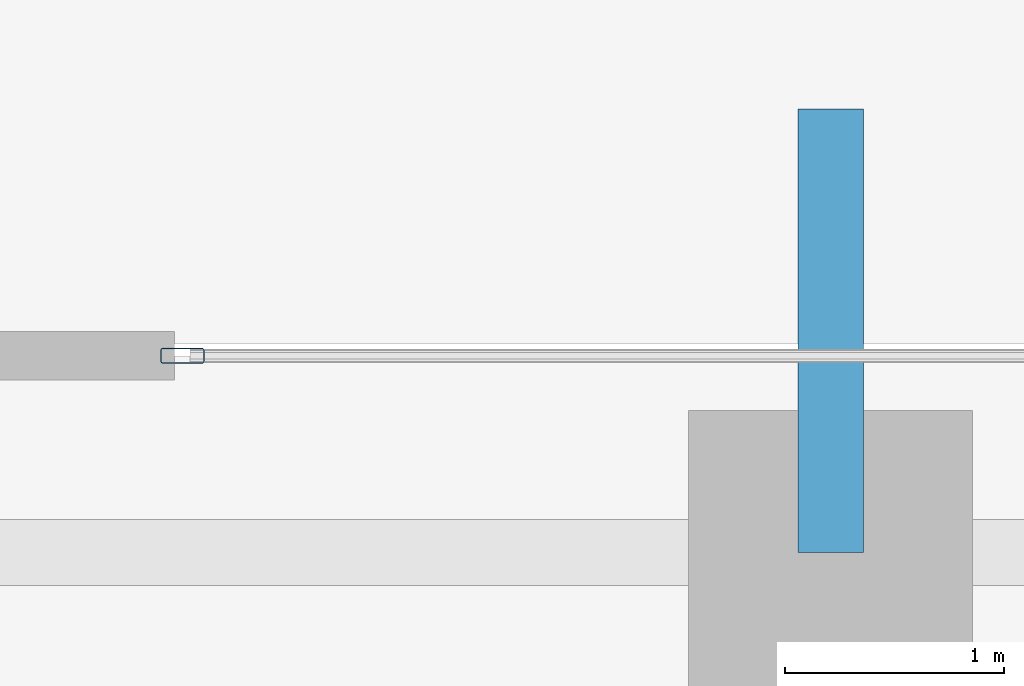
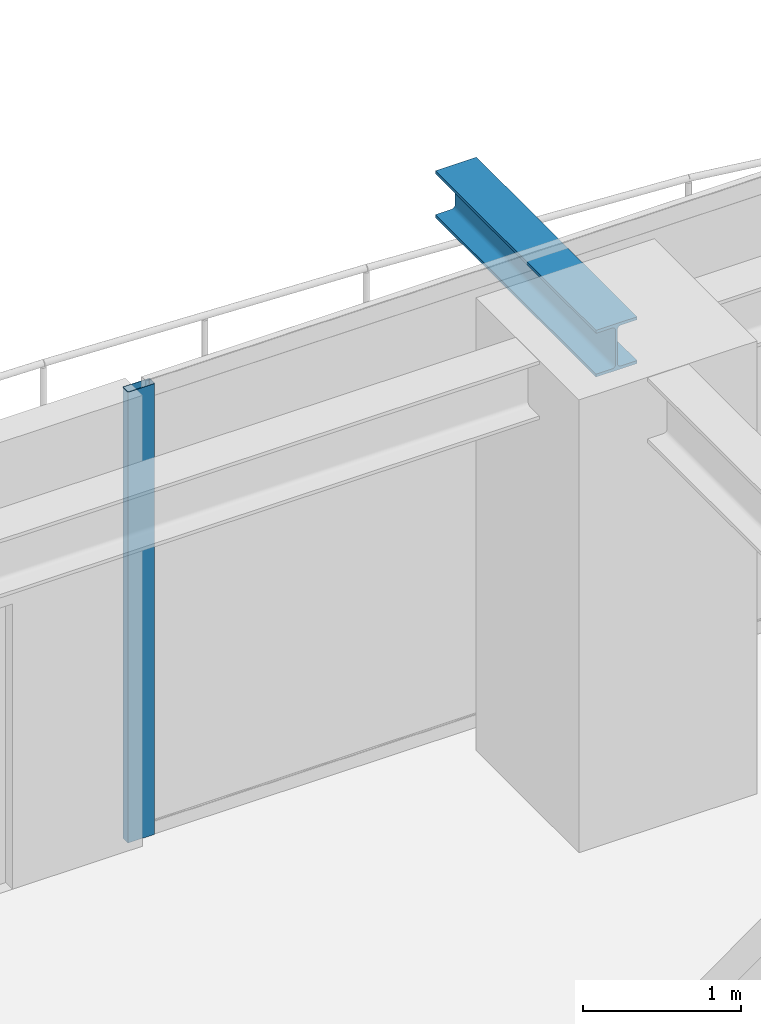
# One storey, part 22 of 37: 1 beam, 1 member, 1 element without a shape of its own.
"""IFC4 building model written with IfcOpenShell, lengths in metres."""

from ifc_helpers import new_model, si_unit, direction, frame, origin, origin_2d, place, context, subcontext, project, spatial, hollow_rectangle, i_section, extrude, source, transform, mapped, material, layer, layer_set, material_profile, profile_set, type_object, element, aggregate, save


model = new_model("IFC4")

# Units and contexts
model_context = context("Model", 3, precision=1e-05, world=origin(), true_north=direction((0.0, 1.0)))
body_context = subcontext(model_context, "Body", "Model", "MODEL_VIEW")
ifc_project = project(units=[si_unit("LENGTHUNIT", "METRE"), si_unit("AREAUNIT", "SQUARE_METRE"), si_unit("VOLUMEUNIT", "CUBIC_METRE"), si_unit("PLANEANGLEUNIT", "RADIAN"), si_unit("MASSUNIT", "GRAM", prefix="KILO")], contexts=[model_context])

# Site, building, storey
site_placement = place(None, origin())
site = spatial("IfcSite", under=ifc_project, at=site_placement, CompositionType="ELEMENT")
building_placement = place(site_placement, origin())
building = spatial("IfcBuilding", under=site, at=building_placement, Name="Serunith Strait Residences", CompositionType="ELEMENT")
storey_placement = place(building_placement, frame((0.0, 0.0, 138.89990234375)))
storey = spatial("IfcBuildingStorey", under=building, at=storey_placement, Name="L34", CompositionType="ELEMENT", Elevation=138.89990234375)

# Beam
ifc_material_1 = material(Name="Steel S355J2", Category="steel")
ifc_material_profile_1 = material_profile(ifc_material_1, i_section(OverallWidth=0.300048828125, OverallDepth=0.360107421875, WebThickness=0.012451171875, FlangeThickness=0.0224609375, FilletRadius=0.027099609375, at=origin_2d()), Name="HEB 360")
ifc_profile_set_1 = profile_set([ifc_material_profile_1], Name="Steel S355J2")
beam_type = type_object("IfcBeamType", Name="BM-HEB360", PredefinedType="BEAM", material=ifc_profile_set_1)
shared_shape_1 = source(origin(), body_context, "Body", "SweptSolid", [
    extrude(i_section(OverallWidth=0.300048828125, OverallDepth=0.360107421875, WebThickness=0.012451171875, FlangeThickness=0.0224609375, FilletRadius=0.027099609375, at=origin_2d()), origin(), (0.0, 0.0, 1.0), 2.02978515625),
])
beam_placement = place(storey_placement, frame((36.89990234375, 48.10009765625, 3.277099609375), z_axis=(0.0, 1.0, 0.0), x_axis=(-1.0, 0.0, 0.0)))
element("IfcBeam", 1, at=beam_placement, inside=storey, type_object=beam_type, Name="L35 Cantilevered Balcony Rib TC-N3", PredefinedType="BEAM", context=body_context, shape_type="MappedRepresentation", body=[
    mapped(shared_shape_1, transform((0.0, 0.0, 0.0), scale=1.0)),
])

# Curtain wall, member
ifc_material_2 = material(Name="Pale-Champagne Anodised Aluminium", Category="aluminium")
ifc_layer = layer(ifc_material_2, 0.199951171875, Name="Pale-Champagne Anodised Aluminium")
ifc_layer_set = layer_set([ifc_layer], Name="Pale-Champagne Anodised Aluminium")
curtain_wall_type = type_object("IfcCurtainWallType", Name="CW-SYS2", PredefinedType="NOTDEFINED", material=ifc_layer_set)
curtain_wall_placement = place(storey_placement, origin())
curtain_wall = element("IfcCurtainWall", 2, at=curtain_wall_placement, inside=storey, type_object=curtain_wall_type, Name="L34 N Unitised Fritted Curtain Wall", PredefinedType="NOTDEFINED")
ifc_material_profile_2 = material_profile(ifc_material_2, hollow_rectangle(XDim=0.070068359375, YDim=0.199951171875, WallThickness=0.00390625, InnerFilletRadius=0.006103515625, OuterFilletRadius=0.010009765625, at=origin_2d()), Name="ALU 200x70x4")
ifc_profile_set_2 = profile_set([ifc_material_profile_2], Name="Pale-Champagne Anodised Aluminium")
member_type = type_object("IfcMemberType", Name="CW-SYS2-MULL", PredefinedType="MULLION", material=ifc_profile_set_2)
shared_shape_2 = source(origin(), body_context, "Body", "SweptSolid", [
    extrude(hollow_rectangle(XDim=0.070068359375, YDim=0.199951171875, WallThickness=0.00390625, InnerFilletRadius=0.006103515625, OuterFilletRadius=0.010009765625, at=origin_2d()), origin(), (0.0, 0.0, 1.0), 3.47509765625),
])
member_placement = place(storey_placement, frame((33.93505859375, 49.0, 0.0), z_axis=(0.0, 0.0, 1.0), x_axis=(0.0, -1.0, 0.0)))
member = element("IfcMember", 3, at=member_placement, type_object=member_type, Name="CW-2 mullion 3", PredefinedType="MULLION", context=body_context, shape_type="MappedRepresentation", body=[
    mapped(shared_shape_2, transform((0.0, 0.0, 0.0), scale=1.0)),
])
aggregate(curtain_wall, [member])

save(model, "model.ifc")
